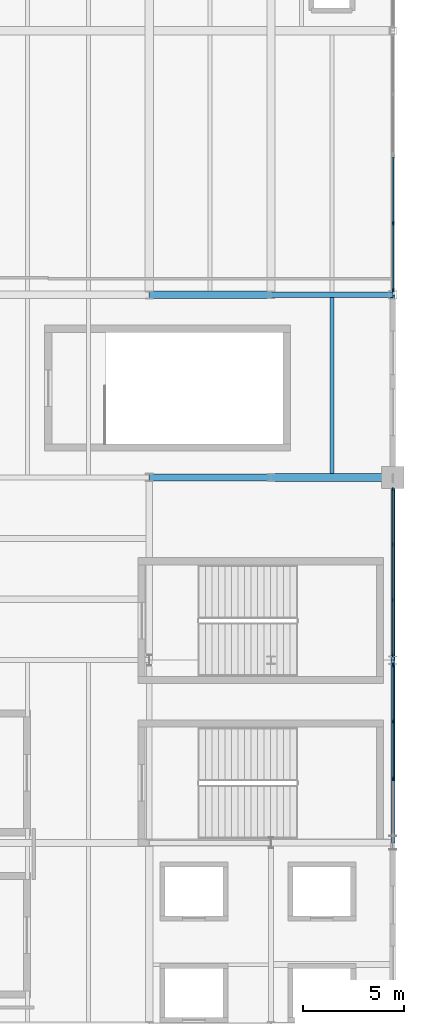
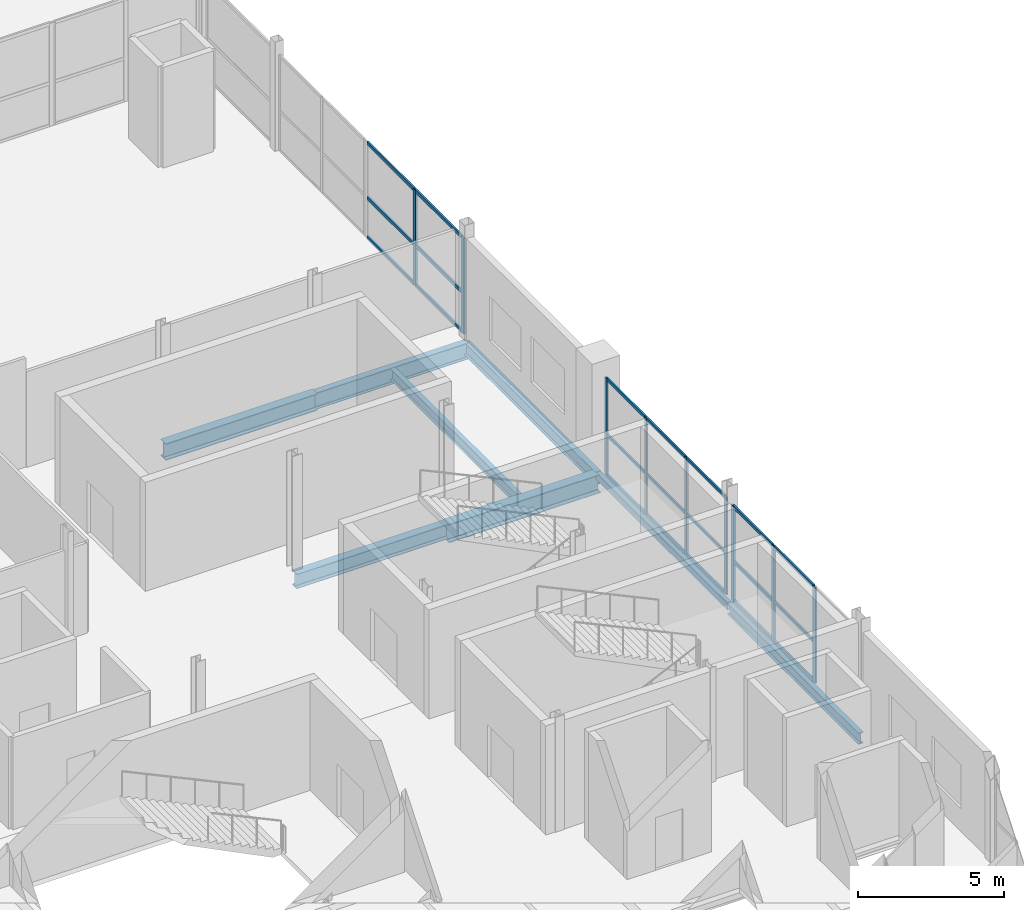
# One storey, part 30 of 50: 30 members, 8 beams, 3 elements without a shape of their own.
"""IFC4 building model written with IfcOpenShell, lengths in metres."""

import ifcopenshell
import ifcopenshell.guid

model = None  # the IFC model being written
_history = None  # IfcOwnerHistory: only IFC2X3 demands one
_inside = {}  # id of a spatial element -> (the spatial element, [elements in it])
_under = {}  # id of a project, library or spatial element -> (it, [spatial elements below it])
_declared = {}  # id of a project -> (the project, [libraries it declares])
_typed = {}  # id of a type object -> (the type object, [elements of that type])
_made_of = {}  # id of a material, layer set ... -> (it, [elements and type objects made of it])


def new_model(schema):
    """Start an empty IFC model of exactly this schema.

    Asked for "IFC4X3", IfcOpenShell would pick the latest addendum, in which some entities
    have other attributes; the version numbers below select the first issue.
    IFC2X3 requires an IfcOwnerHistory on every rooted entity: one is made here for all.
    """
    global model, _history
    if schema == "IFC4X3":
        model = ifcopenshell.file(schema_version=(4, 3, 0, 0))
    else:
        model = ifcopenshell.file(schema=schema)
    _inside.clear()
    _under.clear()
    _declared.clear()
    _typed.clear()
    _made_of.clear()
    _history = None
    if model.schema == "IFC2X3":
        org = make("IfcOrganization", Name="unknown")
        user = make(
            "IfcPersonAndOrganization",
            ThePerson=make("IfcPerson", FamilyName="unknown"),
            TheOrganization=org,
        )
        app = make(
            "IfcApplication",
            ApplicationDeveloper=org,
            Version="unknown",
            ApplicationFullName="unknown",
            ApplicationIdentifier="unknown",
        )
        _history = make(
            "IfcOwnerHistory",
            OwningUser=user,
            OwningApplication=app,
            ChangeAction="ADDED",
            CreationDate=0,
        )
    return model


def make(cls, **values):
    """One entity of the class cls with the attributes given. An attribute that is None is left unset."""
    return model.create_entity(
        cls, **{name: value for name, value in values.items() if value is not None}
    )


def rooted(cls, **values):
    """An entity with a GlobalId (a new one), such as an element, a storey or a relation."""
    return make(cls, GlobalId=ifcopenshell.guid.new(), OwnerHistory=_history, **values)


def si_unit(unit_type, name, prefix=None):
    """IfcSIUnit, for example si_unit("LENGTHUNIT", "METRE", prefix="MILLI")."""
    return make("IfcSIUnit", UnitType=unit_type, Prefix=prefix, Name=name)


def assignment(units):
    """IfcUnitAssignment: the units of a project."""
    return None if units is None else make("IfcUnitAssignment", Units=units)


def point(xyz):
    """IfcCartesianPoint."""
    return None if xyz is None else make("IfcCartesianPoint", Coordinates=xyz)


def direction(xyz):
    """IfcDirection."""
    return None if xyz is None else make("IfcDirection", DirectionRatios=xyz)


def frame(location, z_axis=None, x_axis=None):
    """IfcAxis2Placement3D, a coordinate frame: its origin and axes. An axis left out is left unset."""
    return make(
        "IfcAxis2Placement3D",
        Location=point(location),
        Axis=direction(z_axis),
        RefDirection=direction(x_axis),
    )


def frame_2d(location, x_axis=None):
    """IfcAxis2Placement2D, a coordinate frame in the plane: its origin and x axis."""
    return make(
        "IfcAxis2Placement2D", Location=point(location), RefDirection=direction(x_axis)
    )


def origin():
    """The frame at (0, 0, 0) with its axes left unset."""
    return frame((0.0, 0.0, 0.0))


def origin_2d():
    """The frame at (0, 0) in the plane with its x axis left unset."""
    return frame_2d((0.0, 0.0))


def place(relative_to, where):
    """IfcLocalPlacement: puts the frame where relative to a parent placement (None: the world)."""
    return make(
        "IfcLocalPlacement", PlacementRelTo=relative_to, RelativePlacement=where
    )


def context(
    kind, dimensions, precision=None, world=None, true_north=None, identifier=None
):
    """IfcGeometricRepresentationContext, for example the 3D "Model" context."""
    return make(
        "IfcGeometricRepresentationContext",
        ContextIdentifier=identifier,
        ContextType=kind,
        CoordinateSpaceDimension=dimensions,
        Precision=precision,
        WorldCoordinateSystem=world,
        TrueNorth=true_north,
    )


def subcontext(parent, identifier, kind, view, scale=None):
    """IfcGeometricRepresentationSubContext, for example "Body" below "Model"."""
    return make(
        "IfcGeometricRepresentationSubContext",
        ContextIdentifier=identifier,
        ContextType=kind,
        ParentContext=parent,
        TargetScale=scale,
        TargetView=view,
    )


def project(units=None, contexts=None):
    """IfcProject with its units and contexts."""
    return rooted(
        "IfcProject",
        Name="project",
        RepresentationContexts=contexts,
        UnitsInContext=assignment(units),
    )


def spatial(cls, under=None, at=None, **own):
    """A site, building, storey or space (cls), placed at a placement, below another one or the project."""
    s = rooted(cls, ObjectPlacement=at, **own)
    if under is not None:
        _under.setdefault(under.id(), (under, []))[1].append(s)
    return s


def profile(cls, at=None, kind="AREA", **sizes):
    """A parametric profile (cls). Its sizes go by their IFC names, for example OverallWidth=200.0."""
    return make(cls, ProfileType=kind, Position=at, **sizes)


def rectangle(**sizes):
    """IfcRectangleProfileDef."""
    return profile("IfcRectangleProfileDef", **sizes)


def hollow_rectangle(**sizes):
    """IfcRectangleHollowProfileDef."""
    return profile("IfcRectangleHollowProfileDef", **sizes)


def i_section(**sizes):
    """IfcIShapeProfileDef."""
    return profile("IfcIShapeProfileDef", **sizes)


def extrude(swept, where, along, depth):
    """IfcExtrudedAreaSolid: the profile swept, set in the frame where, extruded along a direction by depth."""
    return make(
        "IfcExtrudedAreaSolid",
        SweptArea=swept,
        Position=where,
        ExtrudedDirection=direction(along),
        Depth=depth,
    )


def shape(context_of_items, identifier, shape_type, items):
    """IfcShapeRepresentation: the items that make up one representation, for example the "Body"."""
    return make(
        "IfcShapeRepresentation",
        ContextOfItems=context_of_items,
        RepresentationIdentifier=identifier,
        RepresentationType=shape_type,
        Items=items,
    )


def material(Name=None, Category=None):
    """IfcMaterial."""
    return make("IfcMaterial", Name=Name, Category=Category)


def layer(
    of_material, thickness, ventilated=None, Name=None, Category=None, Priority=None
):
    """IfcMaterialLayer: one layer of a wall or slab, of a material (None: an air gap)."""
    return make(
        "IfcMaterialLayer",
        Material=of_material,
        LayerThickness=thickness,
        IsVentilated=ventilated,
        Name=Name,
        Category=Category,
        Priority=Priority,
    )


def layer_set(layers, Name=None):
    """IfcMaterialLayerSet."""
    return make("IfcMaterialLayerSet", MaterialLayers=layers, LayerSetName=Name)


def material_profile(
    of_material, cross_section, Name=None, Category=None, Priority=None
):
    """IfcMaterialProfile: a cross section and its material."""
    return make(
        "IfcMaterialProfile",
        Name=Name,
        Material=of_material,
        Profile=cross_section,
        Priority=Priority,
        Category=Category,
    )


def profile_set(profiles, Name=None, composite=None):
    """IfcMaterialProfileSet."""
    return make(
        "IfcMaterialProfileSet",
        Name=Name,
        MaterialProfiles=profiles,
        CompositeProfile=composite,
    )


def made_of(thing, what):
    """Note that an element or type object is made of a material, layer set ...; save() writes the relation."""
    if what is not None:
        _made_of.setdefault(what.id(), (what, []))[1].append(thing)
    return thing


def type_object(cls, material=None, **own):
    """A type object (cls), such as IfcWallType, which elements share."""
    return made_of(rooted(cls, **own), material)


def element(
    cls,
    number,
    at=None,
    inside=None,
    cuts=None,
    type_object=None,
    material=None,
    context=None,
    identifier="Body",
    shape_type=None,
    held_by="IfcProductDefinitionShape",
    body=None,
    shapes=None,
    **own,
):
    """One element of the class cls, such as IfcWall. Its Tag is "e" and its number.

    at: its placement. inside: the storey or other place that contains it. cuts: it is an
    opening in that element (IfcRelVoidsElement). A single representation is given by context,
    identifier, shape_type and body (its items); several are given by shapes. held_by: the class
    of the entity that holds the representations. save() writes the other relations.
    """
    e = rooted(cls, Tag="e%d" % number, ObjectPlacement=at, **own)
    if body is not None:
        shapes = [shape(context, identifier, shape_type, body)]
    if shapes is not None:
        e.Representation = make(held_by, Representations=shapes)
    if inside is not None:
        _inside.setdefault(inside.id(), (inside, []))[1].append(e)
    if cuts is not None:
        rooted(
            "IfcRelVoidsElement", RelatingBuildingElement=cuts, RelatedOpeningElement=e
        )
    if type_object is not None:
        _typed.setdefault(type_object.id(), (type_object, []))[1].append(e)
    return made_of(e, material)


def aggregate(whole, parts):
    """IfcRelAggregates: a whole, such as a stair, and the parts it consists of."""
    return rooted("IfcRelAggregates", RelatingObject=whole, RelatedObjects=parts)


def save(model, path):
    """Write the relations noted so far, then the file.

    IfcRelAggregates (storeys below a building ...), IfcRelContainedInSpatialStructure (elements
    in a storey), IfcRelDefinesByType, IfcRelAssociatesMaterial and IfcRelDeclares: one each for
    every whole, place, type object, material and project.
    """
    for whole, parts in _under.values():
        aggregate(whole, parts)
    for where, things in _inside.values():
        rooted(
            "IfcRelContainedInSpatialStructure",
            RelatedElements=things,
            RelatingStructure=where,
        )
    for kind, things in _typed.values():
        rooted("IfcRelDefinesByType", RelatedObjects=things, RelatingType=kind)
    for what, things in _made_of.values():
        rooted("IfcRelAssociatesMaterial", RelatedObjects=things, RelatingMaterial=what)
    for by, libraries in _declared.values():
        rooted("IfcRelDeclares", RelatingContext=by, RelatedDefinitions=libraries)
    model.write(path)


model = new_model("IFC4")

# Units and contexts
model_context = context("Model", 3, precision=1e-05, world=origin(), true_north=direction((0.0, 1.0)))
body_context = subcontext(model_context, "Body", "Model", "MODEL_VIEW")
ifc_project = project(units=[si_unit("LENGTHUNIT", "METRE"), si_unit("AREAUNIT", "SQUARE_METRE"), si_unit("VOLUMEUNIT", "CUBIC_METRE"), si_unit("PLANEANGLEUNIT", "RADIAN"), si_unit("MASSUNIT", "GRAM", prefix="KILO")], contexts=[model_context])

# Site, building, storey
site_placement = place(None, origin())
site = spatial("IfcSite", under=ifc_project, at=site_placement, CompositionType="ELEMENT")
building_placement = place(site_placement, origin())
building = spatial("IfcBuilding", under=site, at=building_placement, Name="Qamarlyn Nura Convention Centre", CompositionType="ELEMENT")
storey_placement = place(building_placement, frame((0.0, 0.0, 20.39990234375)))
storey = spatial("IfcBuildingStorey", under=building, at=storey_placement, Name="L04", CompositionType="ELEMENT", Elevation=20.39990234375)

# Beams
ifc_material_1 = material(Name="Steel ASTM A992", Category="steel")
ifc_material_profile_1 = material_profile(ifc_material_1, i_section(OverallWidth=0.323974609375, OverallDepth=0.611083984375, WebThickness=0.0126953125, FlangeThickness=0.01904296875, FilletRadius=0.01611328125, at=origin_2d()), Name="W610X155")
ifc_profile_set_1 = profile_set([ifc_material_profile_1], Name="Steel ASTM A992")
beam_type_1 = type_object("IfcBeamType", Name="BM-GIRD-610", PredefinedType="BEAM", material=ifc_profile_set_1)
beam_1_placement = place(storey_placement, frame((180.0, 81.0, -0.50537109375), z_axis=(1.0, 0.0, 0.0), x_axis=(0.0, 1.0, 0.0)))
element("IfcBeam", 1, at=beam_1_placement, inside=storey, type_object=beam_type_1, Name="L04 girder K 16-17", PredefinedType="BEAM", context=body_context, shape_type="SweptSolid", body=[
    extrude(i_section(OverallWidth=0.323974609375, OverallDepth=0.611083984375, WebThickness=0.0126953125, FlangeThickness=0.01904296875, FilletRadius=0.01611328125, at=origin_2d()), origin(), (0.0, 0.0, 1.0), 6.0),
])
ifc_material_profile_2 = material_profile(ifc_material_1, i_section(OverallWidth=0.35498046875, OverallDepth=0.695068359375, WebThickness=0.015380859375, FlangeThickness=0.02490234375, FilletRadius=0.01806640625, at=origin_2d()), Name="W690X217")
ifc_profile_set_2 = profile_set([ifc_material_profile_2], Name="Steel ASTM A992")
beam_type_2 = type_object("IfcBeamType", Name="BM-GIRD-690A", PredefinedType="BEAM", material=ifc_profile_set_2)
beam_2_placement = place(storey_placement, frame((180.0, 90.0, -0.54736328125), z_axis=(1.0, 0.0, 0.0), x_axis=(0.0, 1.0, 0.0)))
element("IfcBeam", 2, at=beam_2_placement, inside=storey, type_object=beam_type_2, Name="L04 girder L 16-17", PredefinedType="BEAM", context=body_context, shape_type="SweptSolid", body=[
    extrude(i_section(OverallWidth=0.35498046875, OverallDepth=0.695068359375, WebThickness=0.015380859375, FlangeThickness=0.02490234375, FilletRadius=0.01806640625, at=origin_2d()), origin(), (0.0, 0.0, 1.0), 6.0),
])
ifc_material_profile_3 = material_profile(ifc_material_1, i_section(OverallWidth=0.25390625, OverallDepth=0.68408203125, WebThickness=0.012451171875, FlangeThickness=0.01904296875, FilletRadius=0.01806640625, at=origin_2d()), Name="W690X140")
ifc_profile_set_3 = profile_set([ifc_material_profile_3], Name="Steel ASTM A992")
beam_type_3 = type_object("IfcBeamType", Name="BM-GIRD-690B", PredefinedType="BEAM", material=ifc_profile_set_3)
beam_3_placement = place(storey_placement, frame((186.0, 90.0, -0.5419921875), z_axis=(1.0, 0.0, 0.0), x_axis=(0.0, 1.0, 0.0)))
element("IfcBeam", 3, at=beam_3_placement, inside=storey, type_object=beam_type_3, Name="L04 girder L 17-18", PredefinedType="BEAM", context=body_context, shape_type="SweptSolid", body=[
    extrude(i_section(OverallWidth=0.25390625, OverallDepth=0.68408203125, WebThickness=0.012451171875, FlangeThickness=0.01904296875, FilletRadius=0.01806640625, at=origin_2d()), origin(), (0.0, 0.0, 1.0), 6.0),
])
ifc_material_profile_4 = material_profile(ifc_material_1, i_section(OverallWidth=0.381103515625, OverallDepth=0.77294921875, WebThickness=0.0166015625, FlangeThickness=0.027587890625, FilletRadius=0.02001953125, at=origin_2d()), Name="W760X257")
ifc_profile_set_4 = profile_set([ifc_material_profile_4], Name="Steel ASTM A992")
beam_type_4 = type_object("IfcBeamType", Name="BM-GIRD-760", PredefinedType="BEAM", material=ifc_profile_set_4)
beam_4_placement = place(storey_placement, frame((186.0, 81.0, -0.58642578125), z_axis=(1.0, 0.0, 0.0), x_axis=(0.0, 1.0, 0.0)))
element("IfcBeam", 4, at=beam_4_placement, inside=storey, type_object=beam_type_4, Name="L04 girder K 17-18", PredefinedType="BEAM", context=body_context, shape_type="SweptSolid", body=[
    extrude(i_section(OverallWidth=0.381103515625, OverallDepth=0.77294921875, WebThickness=0.0166015625, FlangeThickness=0.027587890625, FilletRadius=0.02001953125, at=origin_2d()), origin(), (0.0, 0.0, 1.0), 6.0),
])
ifc_material_profile_5 = material_profile(ifc_material_1, i_section(OverallWidth=0.18994140625, OverallDepth=0.45703125, WebThickness=0.009033203125, FlangeThickness=0.014404296875, FilletRadius=0.012939453125, at=origin_2d()), Name="W460X74")
ifc_profile_set_5 = profile_set([ifc_material_profile_5], Name="Steel ASTM A992")
beam_type_5 = type_object("IfcBeamType", Name="BM-JOIST-460", PredefinedType="JOIST", material=ifc_profile_set_5)
beam_5_placement = place(storey_placement, frame((189.0, 81.1904296875, -0.428466796875), z_axis=(0.0, 1.0, 0.0), x_axis=(-1.0, 0.0, 0.0)))
element("IfcBeam", 5, at=beam_5_placement, inside=storey, type_object=beam_type_5, Name="L04 secondary joist 17-18/K-L-69", PredefinedType="JOIST", context=body_context, shape_type="SweptSolid", body=[
    extrude(i_section(OverallWidth=0.18994140625, OverallDepth=0.45703125, WebThickness=0.009033203125, FlangeThickness=0.014404296875, FilletRadius=0.012939453125, at=origin_2d()), origin(), (0.0, 0.0, 1.0), 8.6826171875),
])
ifc_material_profile_6 = material_profile(ifc_material_1, i_section(OverallWidth=0.193115234375, OverallDepth=0.466064453125, WebThickness=0.011474609375, FlangeThickness=0.01904296875, FilletRadius=0.012939453125, at=origin_2d()), Name="W460X97")
ifc_profile_set_6 = profile_set([ifc_material_profile_6], Name="Steel ASTM A992")
beam_type_6 = type_object("IfcBeamType", Name="BM-SPAN-460", PredefinedType="SPANDREL", material=ifc_profile_set_6)
beam_6_placement = place(storey_placement, frame((192.0, 63.0, -0.432861328125), z_axis=(0.0, 1.0, 0.0), x_axis=(-1.0, 0.0, 0.0)))
element("IfcBeam", 6, at=beam_6_placement, inside=storey, type_object=beam_type_6, Name="L04 girder 18 H-J", PredefinedType="SPANDREL", context=body_context, shape_type="SweptSolid", body=[
    extrude(i_section(OverallWidth=0.193115234375, OverallDepth=0.466064453125, WebThickness=0.011474609375, FlangeThickness=0.01904296875, FilletRadius=0.012939453125, at=origin_2d()), origin(), (0.0, 0.0, 1.0), 9.0),
])
ifc_material_profile_7 = material_profile(ifc_material_1, i_section(OverallWidth=0.2109375, OverallDepth=0.5390625, WebThickness=0.01171875, FlangeThickness=0.018798828125, FilletRadius=0.013916015625, at=origin_2d()), Name="W530X109")
ifc_profile_set_7 = profile_set([ifc_material_profile_7], Name="Steel ASTM A992")
beam_type_7 = type_object("IfcBeamType", Name="BM-SPAN-530", PredefinedType="SPANDREL", material=ifc_profile_set_7)
beam_7_placement = place(storey_placement, frame((192.0, 81.0, -0.469482421875), z_axis=(0.0, 1.0, 0.0), x_axis=(-1.0, 0.0, 0.0)))
element("IfcBeam", 7, at=beam_7_placement, inside=storey, type_object=beam_type_7, Name="L04 girder 18 K-L", PredefinedType="SPANDREL", context=body_context, shape_type="SweptSolid", body=[
    extrude(i_section(OverallWidth=0.2109375, OverallDepth=0.5390625, WebThickness=0.01171875, FlangeThickness=0.018798828125, FilletRadius=0.013916015625, at=origin_2d()), origin(), (0.0, 0.0, 1.0), 9.0),
])
ifc_material_2 = material(Name="Steel ASTM A500 Grade C", Category="steel")
ifc_material_profile_8 = material_profile(ifc_material_2, hollow_rectangle(XDim=0.199951171875, YDim=0.300048828125, WallThickness=0.012451171875, InnerFilletRadius=0.012451171875, OuterFilletRadius=0.02490234375, at=origin_2d()), Name="HSS300X200X12.5")
ifc_profile_set_8 = profile_set([ifc_material_profile_8], Name="Steel ASTM A500 Grade C")
beam_type_8 = type_object("IfcBeamType", Name="BM-SPAN-HSS", PredefinedType="SPANDREL", material=ifc_profile_set_8)
beam_8_placement = place(storey_placement, frame((192.0, 72.0, -0.349853515625), z_axis=(0.0, 1.0, 0.0), x_axis=(-1.0, 0.0, 0.0)))
element("IfcBeam", 8, at=beam_8_placement, inside=storey, type_object=beam_type_8, Name="L04 girder 18 J-K", PredefinedType="SPANDREL", context=body_context, shape_type="SweptSolid", body=[
    extrude(hollow_rectangle(XDim=0.199951171875, YDim=0.300048828125, WallThickness=0.012451171875, InnerFilletRadius=0.012451171875, OuterFilletRadius=0.02490234375, at=origin_2d()), origin(), (0.0, 0.0, 1.0), 9.0),
])

# Curtain wall, members
ifc_material_3 = material(Name="Double-silver low-E insulated glass", Category="glass")
ifc_layer_1 = layer(ifc_material_3, 0.179931640625, Name="CW-UNIT-136")
ifc_layer_set_1 = layer_set([ifc_layer_1], Name="Double-silver low-E insulated glass")
curtain_wall_type_1 = type_object("IfcCurtainWallType", Name="CW-UNIT-136", PredefinedType="NOTDEFINED", material=ifc_layer_set_1)
curtain_wall_1_placement = place(storey_placement, origin())
curtain_wall_1 = element("IfcCurtainWall", 9, at=curtain_wall_1_placement, inside=storey, type_object=curtain_wall_type_1, Name="L04 unitised curtain wall EAST-9-1", PredefinedType="NOTDEFINED")
ifc_material_4 = material(Name="Champagne-anodised marine aluminium", Category="aluminium")
ifc_material_profile_9 = material_profile(ifc_material_4, rectangle(XDim=0.06494140625, YDim=0.159912109375, at=origin_2d()), Name="ALU MULLION 65x160")
ifc_profile_set_9 = profile_set([ifc_material_profile_9], Name="Champagne-anodised marine aluminium")
member_type_1 = type_object("IfcMemberType", Name="CWM-160", PredefinedType="MULLION", material=ifc_profile_set_9)
member_1_placement = place(storey_placement, frame((192.0, 80.41748046875, 0.0), z_axis=(0.0, 0.0, 1.0), x_axis=(1.0, 0.0, 0.0)))
member_1 = element("IfcMember", 10, at=member_1_placement, type_object=member_type_1, Name="CW136 mullion 1", PredefinedType="MULLION", context=body_context, shape_type="SweptSolid", body=[
    extrude(rectangle(XDim=0.06494140625, YDim=0.159912109375, at=origin_2d()), origin(), (0.0, 0.0, 1.0), 4.0791015625),
])
member_2_placement = place(storey_placement, frame((192.0, 77.7041015625, 0.0), z_axis=(0.0, 0.0, 1.0), x_axis=(1.0, 0.0, 0.0)))
member_2 = element("IfcMember", 11, at=member_2_placement, type_object=member_type_1, Name="CW136 mullion 2", PredefinedType="MULLION", context=body_context, shape_type="SweptSolid", body=[
    extrude(rectangle(XDim=0.06494140625, YDim=0.159912109375, at=origin_2d()), origin(), (0.0, 0.0, 1.0), 4.0791015625),
])
member_3_placement = place(storey_placement, frame((192.0, 74.958251953125, 0.0), z_axis=(0.0, 0.0, 1.0), x_axis=(1.0, 0.0, 0.0)))
member_3 = element("IfcMember", 12, at=member_3_placement, type_object=member_type_1, Name="CW136 mullion 3", PredefinedType="MULLION", context=body_context, shape_type="SweptSolid", body=[
    extrude(rectangle(XDim=0.06494140625, YDim=0.159912109375, at=origin_2d()), origin(), (0.0, 0.0, 1.0), 4.0791015625),
])
member_4_placement = place(storey_placement, frame((192.0, 72.2451171875, 0.0), z_axis=(0.0, 0.0, 1.0), x_axis=(1.0, 0.0, 0.0)))
member_4 = element("IfcMember", 13, at=member_4_placement, type_object=member_type_1, Name="CW136 mullion 4", PredefinedType="MULLION", context=body_context, shape_type="SweptSolid", body=[
    extrude(rectangle(XDim=0.06494140625, YDim=0.159912109375, at=origin_2d()), origin(), (0.0, 0.0, 1.0), 4.0791015625),
])

ifc_layer_2 = layer(ifc_material_3, 0.179931640625, Name="CW-UNIT-137")
ifc_layer_set_2 = layer_set([ifc_layer_2], Name="Double-silver low-E insulated glass")
curtain_wall_type_2 = type_object("IfcCurtainWallType", Name="CW-UNIT-137", PredefinedType="NOTDEFINED", material=ifc_layer_set_2)
curtain_wall_2_placement = place(storey_placement, origin())
curtain_wall_2 = element("IfcCurtainWall", 14, at=curtain_wall_2_placement, inside=storey, type_object=curtain_wall_type_2, Name="L04 unitised curtain wall EAST-8-1", PredefinedType="NOTDEFINED")
ifc_material_profile_10 = material_profile(ifc_material_4, rectangle(XDim=0.070068359375, YDim=0.179931640625, at=origin_2d()), Name="ALU MULLION 70x180")
ifc_profile_set_10 = profile_set([ifc_material_profile_10], Name="Champagne-anodised marine aluminium")
member_type_2 = type_object("IfcMemberType", Name="CWM-180", PredefinedType="MULLION", material=ifc_profile_set_10)
member_5_placement = place(storey_placement, frame((192.0, 71.75244140625, 0.0), z_axis=(0.0, 0.0, 1.0), x_axis=(1.0, 0.0, 0.0)))
member_5 = element("IfcMember", 15, at=member_5_placement, type_object=member_type_2, Name="CW137 mullion 1", PredefinedType="MULLION", context=body_context, shape_type="SweptSolid", body=[
    extrude(rectangle(XDim=0.070068359375, YDim=0.179931640625, at=origin_2d()), origin(), (0.0, 0.0, 1.0), 4.006103515625),
])
member_6_placement = place(storey_placement, frame((192.0, 68.97412109375, 0.0), z_axis=(0.0, 0.0, 1.0), x_axis=(1.0, 0.0, 0.0)))
member_6 = element("IfcMember", 16, at=member_6_placement, type_object=member_type_2, Name="CW137 mullion 2", PredefinedType="MULLION", context=body_context, shape_type="SweptSolid", body=[
    extrude(rectangle(XDim=0.070068359375, YDim=0.179931640625, at=origin_2d()), origin(), (0.0, 0.0, 1.0), 4.006103515625),
])
member_7_placement = place(storey_placement, frame((192.0, 66.160888671875, 0.0), z_axis=(0.0, 0.0, 1.0), x_axis=(1.0, 0.0, 0.0)))
member_7 = element("IfcMember", 17, at=member_7_placement, type_object=member_type_2, Name="CW137 mullion 3", PredefinedType="MULLION", context=body_context, shape_type="SweptSolid", body=[
    extrude(rectangle(XDim=0.070068359375, YDim=0.179931640625, at=origin_2d()), origin(), (0.0, 0.0, 1.0), 4.006103515625),
])

ifc_layer_3 = layer(ifc_material_3, 0.179931640625, Name="CW-UNIT-139")
ifc_layer_set_3 = layer_set([ifc_layer_3], Name="Double-silver low-E insulated glass")
curtain_wall_type_3 = type_object("IfcCurtainWallType", Name="CW-UNIT-139", PredefinedType="NOTDEFINED", material=ifc_layer_set_3)
curtain_wall_3_placement = place(storey_placement, origin())
curtain_wall_3 = element("IfcCurtainWall", 18, at=curtain_wall_3_placement, inside=storey, type_object=curtain_wall_type_3, Name="L04 unitised curtain wall EAST-11-1B", PredefinedType="NOTDEFINED")
member_8_placement = place(storey_placement, frame((192.0, 93.525634765625, 0.0), z_axis=(0.0, 0.0, 1.0), x_axis=(1.0, 0.0, 0.0)))
member_8 = element("IfcMember", 19, at=member_8_placement, type_object=member_type_2, Name="CW139 mullion 2", PredefinedType="MULLION", context=body_context, shape_type="SweptSolid", body=[
    extrude(rectangle(XDim=0.070068359375, YDim=0.179931640625, at=origin_2d()), origin(), (0.0, 0.0, 1.0), 4.006103515625),
])
member_9_placement = place(storey_placement, frame((192.0, 90.235107421875, 0.0), z_axis=(0.0, 0.0, 1.0), x_axis=(1.0, 0.0, 0.0)))
member_9 = element("IfcMember", 20, at=member_9_placement, type_object=member_type_2, Name="CW139 mullion 3", PredefinedType="MULLION", context=body_context, shape_type="SweptSolid", body=[
    extrude(rectangle(XDim=0.070068359375, YDim=0.179931640625, at=origin_2d()), origin(), (0.0, 0.0, 1.0), 4.006103515625),
])

# Member
ifc_material_profile_11 = material_profile(ifc_material_4, rectangle(XDim=0.06494140625, YDim=0.1201171875, at=origin_2d()), Name="ALU TRANSOM 65x120")
ifc_profile_set_11 = profile_set([ifc_material_profile_11], Name="Champagne-anodised marine aluminium")
member_type_3 = type_object("IfcMemberType", Name="CWT-120", PredefinedType="USERDEFINED", material=ifc_profile_set_11)
member_10_placement = place(storey_placement, frame((192.0, 80.385009765625, 0.03271484375), z_axis=(0.0, -1.0, 0.0), x_axis=(1.0, 0.0, 0.0)))
member_10 = element("IfcMember", 21, at=member_10_placement, type_object=member_type_3, Name="CW136 transom 1.1", ObjectType="TRANSOM", PredefinedType="USERDEFINED", context=body_context, shape_type="SweptSolid", body=[
    extrude(rectangle(XDim=0.06494140625, YDim=0.1201171875, at=origin_2d()), origin(), (0.0, 0.0, 1.0), 2.6484375),
])

member_11_placement = place(storey_placement, frame((192.0, 80.385009765625, 1.713134765625), z_axis=(0.0, -1.0, 0.0), x_axis=(1.0, 0.0, 0.0)))
member_11 = element("IfcMember", 22, at=member_11_placement, type_object=member_type_3, Name="CW136 transom 1.2", ObjectType="TRANSOM", PredefinedType="USERDEFINED", context=body_context, shape_type="SweptSolid", body=[
    extrude(rectangle(XDim=0.06494140625, YDim=0.1201171875, at=origin_2d()), origin(), (0.0, 0.0, 1.0), 2.6484375),
])

member_12_placement = place(storey_placement, frame((192.0, 80.385009765625, 4.046630859375), z_axis=(0.0, -1.0, 0.0), x_axis=(1.0, 0.0, 0.0)))
member_12 = element("IfcMember", 23, at=member_12_placement, type_object=member_type_3, Name="CW136 transom 1.3", ObjectType="TRANSOM", PredefinedType="USERDEFINED", context=body_context, shape_type="SweptSolid", body=[
    extrude(rectangle(XDim=0.06494140625, YDim=0.1201171875, at=origin_2d()), origin(), (0.0, 0.0, 1.0), 2.6484375),
])

member_13_placement = place(storey_placement, frame((192.0, 77.671630859375, 0.03271484375), z_axis=(0.0, -1.0, 0.0), x_axis=(1.0, 0.0, 0.0)))
member_13 = element("IfcMember", 24, at=member_13_placement, type_object=member_type_3, Name="CW136 transom 2.1", ObjectType="TRANSOM", PredefinedType="USERDEFINED", context=body_context, shape_type="SweptSolid", body=[
    extrude(rectangle(XDim=0.06494140625, YDim=0.1201171875, at=origin_2d()), origin(), (0.0, 0.0, 1.0), 2.680908203125),
])

member_14_placement = place(storey_placement, frame((192.0, 77.671630859375, 1.713134765625), z_axis=(0.0, -1.0, 0.0), x_axis=(1.0, 0.0, 0.0)))
member_14 = element("IfcMember", 25, at=member_14_placement, type_object=member_type_3, Name="CW136 transom 2.2", ObjectType="TRANSOM", PredefinedType="USERDEFINED", context=body_context, shape_type="SweptSolid", body=[
    extrude(rectangle(XDim=0.06494140625, YDim=0.1201171875, at=origin_2d()), origin(), (0.0, 0.0, 1.0), 2.680908203125),
])

member_15_placement = place(storey_placement, frame((192.0, 77.671630859375, 4.046630859375), z_axis=(0.0, -1.0, 0.0), x_axis=(1.0, 0.0, 0.0)))
member_15 = element("IfcMember", 26, at=member_15_placement, type_object=member_type_3, Name="CW136 transom 2.3", ObjectType="TRANSOM", PredefinedType="USERDEFINED", context=body_context, shape_type="SweptSolid", body=[
    extrude(rectangle(XDim=0.06494140625, YDim=0.1201171875, at=origin_2d()), origin(), (0.0, 0.0, 1.0), 2.680908203125),
])

member_16_placement = place(storey_placement, frame((192.0, 74.92578125, 0.03271484375), z_axis=(0.0, -1.0, 0.0), x_axis=(1.0, 0.0, 0.0)))
member_16 = element("IfcMember", 27, at=member_16_placement, type_object=member_type_3, Name="CW136 transom 3.1", ObjectType="TRANSOM", PredefinedType="USERDEFINED", context=body_context, shape_type="SweptSolid", body=[
    extrude(rectangle(XDim=0.06494140625, YDim=0.1201171875, at=origin_2d()), origin(), (0.0, 0.0, 1.0), 2.648193359375),
])

member_17_placement = place(storey_placement, frame((192.0, 74.92578125, 1.713134765625), z_axis=(0.0, -1.0, 0.0), x_axis=(1.0, 0.0, 0.0)))
member_17 = element("IfcMember", 28, at=member_17_placement, type_object=member_type_3, Name="CW136 transom 3.2", ObjectType="TRANSOM", PredefinedType="USERDEFINED", context=body_context, shape_type="SweptSolid", body=[
    extrude(rectangle(XDim=0.06494140625, YDim=0.1201171875, at=origin_2d()), origin(), (0.0, 0.0, 1.0), 2.648193359375),
])

member_18_placement = place(storey_placement, frame((192.0, 74.92578125, 4.046630859375), z_axis=(0.0, -1.0, 0.0), x_axis=(1.0, 0.0, 0.0)))
member_18 = element("IfcMember", 29, at=member_18_placement, type_object=member_type_3, Name="CW136 transom 3.3", ObjectType="TRANSOM", PredefinedType="USERDEFINED", context=body_context, shape_type="SweptSolid", body=[
    extrude(rectangle(XDim=0.06494140625, YDim=0.1201171875, at=origin_2d()), origin(), (0.0, 0.0, 1.0), 2.648193359375),
])

aggregate(curtain_wall_1, [member_1, member_2, member_3, member_4, member_10, member_11, member_12, member_13, member_14, member_15, member_16, member_17, member_18])

ifc_material_profile_12 = material_profile(ifc_material_4, rectangle(XDim=0.070068359375, YDim=0.139892578125, at=origin_2d()), Name="ALU TRANSOM 70x140")
ifc_profile_set_12 = profile_set([ifc_material_profile_12], Name="Champagne-anodised marine aluminium")
member_type_4 = type_object("IfcMemberType", Name="CWT-140", PredefinedType="USERDEFINED", material=ifc_profile_set_12)
member_19_placement = place(storey_placement, frame((192.0, 71.717529296875, 0.03515625), z_axis=(0.0, -1.0, 0.0), x_axis=(1.0, 0.0, 0.0)))
member_19 = element("IfcMember", 30, at=member_19_placement, type_object=member_type_4, Name="CW137 transom 1.1", ObjectType="TRANSOM", PredefinedType="USERDEFINED", context=body_context, shape_type="SweptSolid", body=[
    extrude(rectangle(XDim=0.070068359375, YDim=0.139892578125, at=origin_2d()), origin(), (0.0, 0.0, 1.0), 2.708251953125),
])

member_20_placement = place(storey_placement, frame((192.0, 71.717529296875, 1.68310546875), z_axis=(0.0, -1.0, 0.0), x_axis=(1.0, 0.0, 0.0)))
member_20 = element("IfcMember", 31, at=member_20_placement, type_object=member_type_4, Name="CW137 transom 1.2", ObjectType="TRANSOM", PredefinedType="USERDEFINED", context=body_context, shape_type="SweptSolid", body=[
    extrude(rectangle(XDim=0.070068359375, YDim=0.139892578125, at=origin_2d()), origin(), (0.0, 0.0, 1.0), 2.708251953125),
])

member_21_placement = place(storey_placement, frame((192.0, 71.717529296875, 3.97119140625), z_axis=(0.0, -1.0, 0.0), x_axis=(1.0, 0.0, 0.0)))
member_21 = element("IfcMember", 32, at=member_21_placement, type_object=member_type_4, Name="CW137 transom 1.3", ObjectType="TRANSOM", PredefinedType="USERDEFINED", context=body_context, shape_type="SweptSolid", body=[
    extrude(rectangle(XDim=0.070068359375, YDim=0.139892578125, at=origin_2d()), origin(), (0.0, 0.0, 1.0), 2.708251953125),
])

member_22_placement = place(storey_placement, frame((192.0, 68.939208984375, 0.03515625), z_axis=(0.0, -1.0, 0.0), x_axis=(1.0, 0.0, 0.0)))
member_22 = element("IfcMember", 33, at=member_22_placement, type_object=member_type_4, Name="CW137 transom 2.1", ObjectType="TRANSOM", PredefinedType="USERDEFINED", context=body_context, shape_type="SweptSolid", body=[
    extrude(rectangle(XDim=0.070068359375, YDim=0.139892578125, at=origin_2d()), origin(), (0.0, 0.0, 1.0), 2.743408203125),
])

member_23_placement = place(storey_placement, frame((192.0, 68.939208984375, 1.68310546875), z_axis=(0.0, -1.0, 0.0), x_axis=(1.0, 0.0, 0.0)))
member_23 = element("IfcMember", 34, at=member_23_placement, type_object=member_type_4, Name="CW137 transom 2.2", ObjectType="TRANSOM", PredefinedType="USERDEFINED", context=body_context, shape_type="SweptSolid", body=[
    extrude(rectangle(XDim=0.070068359375, YDim=0.139892578125, at=origin_2d()), origin(), (0.0, 0.0, 1.0), 2.743408203125),
])

member_24_placement = place(storey_placement, frame((192.0, 68.939208984375, 3.97119140625), z_axis=(0.0, -1.0, 0.0), x_axis=(1.0, 0.0, 0.0)))
member_24 = element("IfcMember", 35, at=member_24_placement, type_object=member_type_4, Name="CW137 transom 2.3", ObjectType="TRANSOM", PredefinedType="USERDEFINED", context=body_context, shape_type="SweptSolid", body=[
    extrude(rectangle(XDim=0.070068359375, YDim=0.139892578125, at=origin_2d()), origin(), (0.0, 0.0, 1.0), 2.743408203125),
])

aggregate(curtain_wall_2, [member_5, member_6, member_7, member_19, member_20, member_21, member_22, member_23, member_24])

member_25_placement = place(storey_placement, frame((192.0, 96.78125, 0.03515625), z_axis=(0.0, -1.0, 0.0), x_axis=(1.0, 0.0, 0.0)))
member_25 = element("IfcMember", 36, at=member_25_placement, type_object=member_type_4, Name="CW139 transom 1.1", ObjectType="TRANSOM", PredefinedType="USERDEFINED", context=body_context, shape_type="SweptSolid", body=[
    extrude(rectangle(XDim=0.070068359375, YDim=0.139892578125, at=origin_2d()), origin(), (0.0, 0.0, 1.0), 3.220703125),
])

member_26_placement = place(storey_placement, frame((192.0, 96.78125, 1.68310546875), z_axis=(0.0, -1.0, 0.0), x_axis=(1.0, 0.0, 0.0)))
member_26 = element("IfcMember", 37, at=member_26_placement, type_object=member_type_4, Name="CW139 transom 1.2", ObjectType="TRANSOM", PredefinedType="USERDEFINED", context=body_context, shape_type="SweptSolid", body=[
    extrude(rectangle(XDim=0.070068359375, YDim=0.139892578125, at=origin_2d()), origin(), (0.0, 0.0, 1.0), 3.220703125),
])

member_27_placement = place(storey_placement, frame((192.0, 96.78125, 3.97119140625), z_axis=(0.0, -1.0, 0.0), x_axis=(1.0, 0.0, 0.0)))
member_27 = element("IfcMember", 38, at=member_27_placement, type_object=member_type_4, Name="CW139 transom 1.3", ObjectType="TRANSOM", PredefinedType="USERDEFINED", context=body_context, shape_type="SweptSolid", body=[
    extrude(rectangle(XDim=0.070068359375, YDim=0.139892578125, at=origin_2d()), origin(), (0.0, 0.0, 1.0), 3.220703125),
])

member_28_placement = place(storey_placement, frame((192.0, 93.49072265625, 0.03515625), z_axis=(0.0, -1.0, 0.0), x_axis=(1.0, 0.0, 0.0)))
member_28 = element("IfcMember", 39, at=member_28_placement, type_object=member_type_4, Name="CW139 transom 2.1", ObjectType="TRANSOM", PredefinedType="USERDEFINED", context=body_context, shape_type="SweptSolid", body=[
    extrude(rectangle(XDim=0.070068359375, YDim=0.139892578125, at=origin_2d()), origin(), (0.0, 0.0, 1.0), 3.220703125),
])

member_29_placement = place(storey_placement, frame((192.0, 93.49072265625, 1.68310546875), z_axis=(0.0, -1.0, 0.0), x_axis=(1.0, 0.0, 0.0)))
member_29 = element("IfcMember", 40, at=member_29_placement, type_object=member_type_4, Name="CW139 transom 2.2", ObjectType="TRANSOM", PredefinedType="USERDEFINED", context=body_context, shape_type="SweptSolid", body=[
    extrude(rectangle(XDim=0.070068359375, YDim=0.139892578125, at=origin_2d()), origin(), (0.0, 0.0, 1.0), 3.220703125),
])

member_30_placement = place(storey_placement, frame((192.0, 93.49072265625, 3.97119140625), z_axis=(0.0, -1.0, 0.0), x_axis=(1.0, 0.0, 0.0)))
member_30 = element("IfcMember", 41, at=member_30_placement, type_object=member_type_4, Name="CW139 transom 2.3", ObjectType="TRANSOM", PredefinedType="USERDEFINED", context=body_context, shape_type="SweptSolid", body=[
    extrude(rectangle(XDim=0.070068359375, YDim=0.139892578125, at=origin_2d()), origin(), (0.0, 0.0, 1.0), 3.220703125),
])

aggregate(curtain_wall_3, [member_8, member_9, member_25, member_26, member_27, member_28, member_29, member_30])

save(model, "model.ifc")
